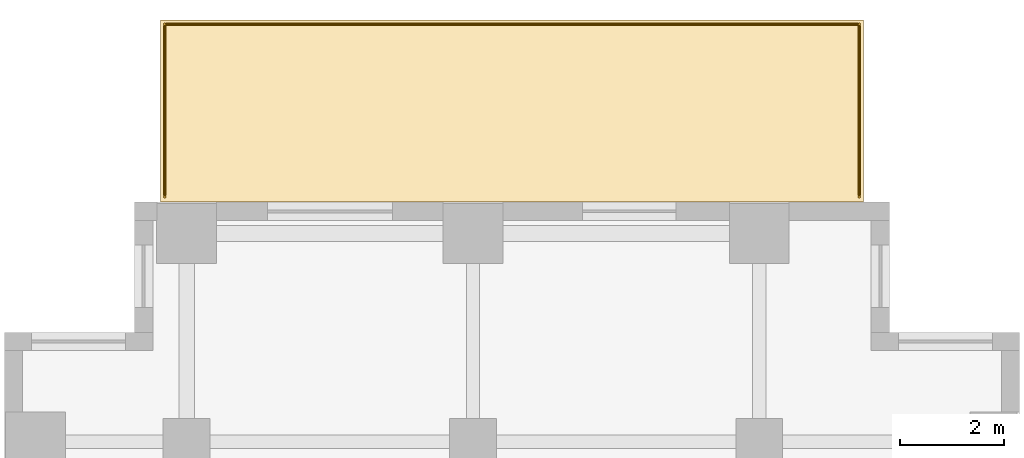
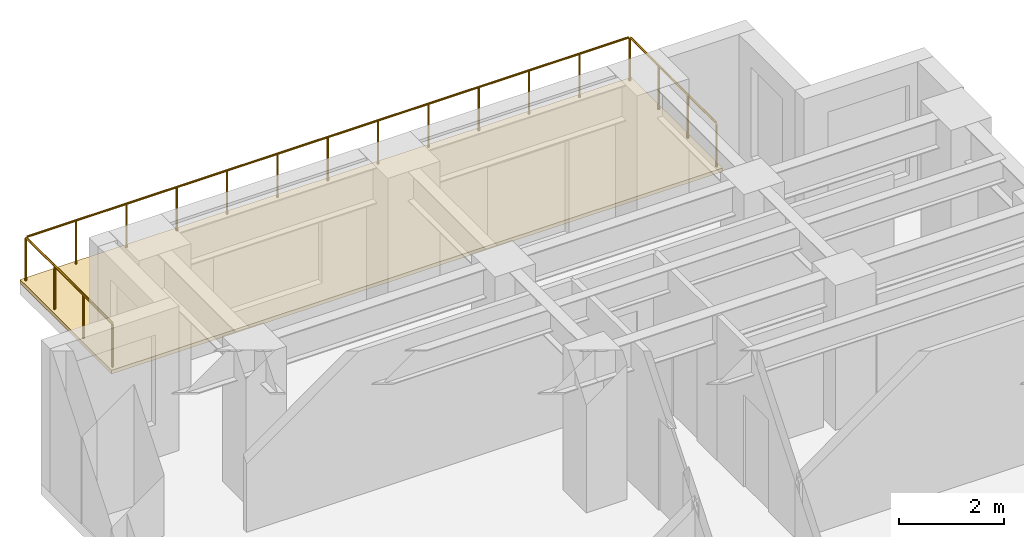
# One storey, part 13 of 13: 1 covering, 1 railing.
"""IFC4 building model written with IfcOpenShell, lengths in metres."""

from ifc_helpers import new_model, si_unit, direction, frame, origin, origin_2d, place, context, subcontext, project, spatial, polyline, circle, outline, extrude, source, transform, mapped, material, layer, layer_set, type_object, element, save


model = new_model("IFC4")

# Units and contexts
model_context = context("Model", 3, precision=1e-05, world=origin(), true_north=direction((0.0, 1.0)))
body_context = subcontext(model_context, "Body", "Model", "MODEL_VIEW")
ifc_project = project(units=[si_unit("LENGTHUNIT", "METRE"), si_unit("AREAUNIT", "SQUARE_METRE"), si_unit("VOLUMEUNIT", "CUBIC_METRE"), si_unit("PLANEANGLEUNIT", "RADIAN"), si_unit("MASSUNIT", "GRAM", prefix="KILO")], contexts=[model_context])

# Site, building, storey
site_placement = place(None, origin())
site = spatial("IfcSite", under=ifc_project, at=site_placement, CompositionType="ELEMENT")
building_placement = place(site_placement, origin())
building = spatial("IfcBuilding", under=site, at=building_placement, Name="Kharzan Plaza Tower", CompositionType="ELEMENT")
storey_placement = place(building_placement, frame((0.0, 0.0, 77.39990234375)))
storey = spatial("IfcBuildingStorey", under=building, at=storey_placement, Name="L20", CompositionType="ELEMENT", Elevation=77.39990234375)

# Covering
ifc_material_1 = material(Name="Inverted EPDM Waterproofing and Gravel Ballast", Category="membrane")
ifc_layer_1 = layer(ifc_material_1, 0.0849609375)
ifc_layer_set_1 = layer_set([ifc_layer_1], Name="Inverted EPDM Waterproofing and Gravel Ballast")
covering_type = type_object("IfcCoveringType", Name="COV-ROOF-MEMB", PredefinedType="ROOFING", material=ifc_layer_set_1)
covering_placement = place(storey_placement, origin())
element("IfcCovering", 1, at=covering_placement, inside=storey, type_object=covering_type, Name="L20 Terrace Waterproofing Covering", PredefinedType="ROOFING", context=body_context, shape_type="SweptSolid", body=[
    extrude(outline(polyline([(3.0, 46.0), (16.5, 46.0), (16.5, 49.5), (3.0, 49.5), (3.0, 46.0)])), origin(), (0.0, 0.0, 1.0), 0.085205078125),
])

# Railing
ifc_material_2 = material(Name="Painted Galvanized Architectural Steel", Category="steel")
ifc_layer_2 = layer(ifc_material_2, 0.074951171875)
ifc_layer_set_2 = layer_set([ifc_layer_2], Name="Painted Galvanized Architectural Steel")
railing_type = type_object("IfcRailingType", Name="RL-GUARD-1120", PredefinedType="BALUSTRADE", material=ifc_layer_set_2)
shared_shape = source(origin(), body_context, "Body", "SweptSolid", [
    extrude(circle(Radius=0.02392578125, at=origin_2d()), frame((0.0, 0.0263671875, 1.09619140625), z_axis=(0.0, 1.0, 0.0), x_axis=(-1.0, 0.0, 0.0)), (0.0, 0.0, 1.0), 3.266845703125),
    extrude(circle(Radius=0.02392578125, at=origin_2d()), frame((0.0263671875, 3.31982421875, 1.09619140625), z_axis=(1.0, 0.0, 0.0), x_axis=(0.0, 1.0, 0.0)), (0.0, 0.0, 1.0), 13.286865234375),
    extrude(circle(Radius=0.02392578125, at=origin_2d()), frame((13.33984375, 3.29345703125, 1.09619140625), z_axis=(0.0, -1.0, 0.0), x_axis=(1.0, 0.0, 0.0)), (0.0, 0.0, 1.0), 3.266845703125),
    extrude(circle(Radius=0.02099609375, at=origin_2d()), origin(), (0.0, 0.0, 1.0), 1.072021484375),
    extrude(circle(Radius=0.02099609375, at=origin_2d()), frame((0.0, 1.106689453125, 0.0)), (0.0, 0.0, 1.0), 1.072021484375),
    extrude(circle(Radius=0.02099609375, at=origin_2d()), frame((0.0, 2.213134765625, 0.0)), (0.0, 0.0, 1.0), 1.072021484375),
    extrude(circle(Radius=0.02099609375, at=origin_2d()), frame((0.0, 3.31982421875, 0.0)), (0.0, 0.0, 1.0), 1.072021484375),
    extrude(circle(Radius=0.02099609375, at=origin_2d()), frame((1.111572265625, 3.31982421875, 0.0)), (0.0, 0.0, 1.0), 1.072021484375),
    extrude(circle(Radius=0.02099609375, at=origin_2d()), frame((2.223388671875, 3.31982421875, 0.0)), (0.0, 0.0, 1.0), 1.072021484375),
    extrude(circle(Radius=0.02099609375, at=origin_2d()), frame((3.3349609375, 3.31982421875, 0.0)), (0.0, 0.0, 1.0), 1.072021484375),
    extrude(circle(Radius=0.02099609375, at=origin_2d()), frame((4.446533203125, 3.31982421875, 0.0)), (0.0, 0.0, 1.0), 1.072021484375),
    extrude(circle(Radius=0.02099609375, at=origin_2d()), frame((5.558349609375, 3.31982421875, 0.0)), (0.0, 0.0, 1.0), 1.072021484375),
    extrude(circle(Radius=0.02099609375, at=origin_2d()), frame((6.669921875, 3.31982421875, 0.0)), (0.0, 0.0, 1.0), 1.072021484375),
    extrude(circle(Radius=0.02099609375, at=origin_2d()), frame((7.781494140625, 3.31982421875, 0.0)), (0.0, 0.0, 1.0), 1.072021484375),
    extrude(circle(Radius=0.02099609375, at=origin_2d()), frame((8.893310546875, 3.31982421875, 0.0)), (0.0, 0.0, 1.0), 1.072021484375),
    extrude(circle(Radius=0.02099609375, at=origin_2d()), frame((10.0048828125, 3.31982421875, 0.0)), (0.0, 0.0, 1.0), 1.072021484375),
    extrude(circle(Radius=0.02099609375, at=origin_2d()), frame((11.116455078125, 3.31982421875, 0.0)), (0.0, 0.0, 1.0), 1.072021484375),
    extrude(circle(Radius=0.02099609375, at=origin_2d()), frame((12.228271484375, 3.31982421875, 0.0)), (0.0, 0.0, 1.0), 1.072021484375),
    extrude(circle(Radius=0.02099609375, at=origin_2d()), frame((13.33984375, 3.31982421875, 0.0)), (0.0, 0.0, 1.0), 1.072021484375),
    extrude(circle(Radius=0.02099609375, at=origin_2d()), frame((13.33984375, 2.213134765625, 0.0)), (0.0, 0.0, 1.0), 1.072021484375),
    extrude(circle(Radius=0.02099609375, at=origin_2d()), frame((13.33984375, 1.106689453125, 0.0)), (0.0, 0.0, 1.0), 1.072021484375),
    extrude(circle(Radius=0.02099609375, at=origin_2d()), frame((13.33984375, 0.0, 0.0)), (0.0, 0.0, 1.0), 1.072021484375),
])
railing_placement = place(storey_placement, frame((3.080078125, 46.10009765625, 0.0)))
element("IfcRailing", 2, at=railing_placement, inside=storey, type_object=railing_type, Name="L20 Setback Roof Terrace Perimeter Guard", PredefinedType="BALUSTRADE", context=body_context, shape_type="MappedRepresentation", body=[
    mapped(shared_shape, transform((0.0, 0.0, 0.0), x_axis=(1.0, 0.0, 0.0), y_axis=(0.0, 1.0, 0.0), z_axis=(0.0, 0.0, 1.0))),
])

save(model, "model.ifc")
